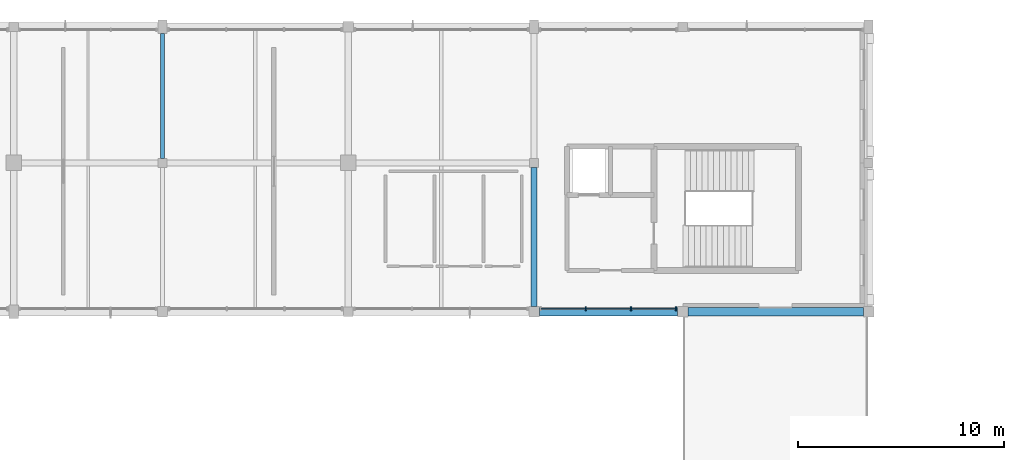
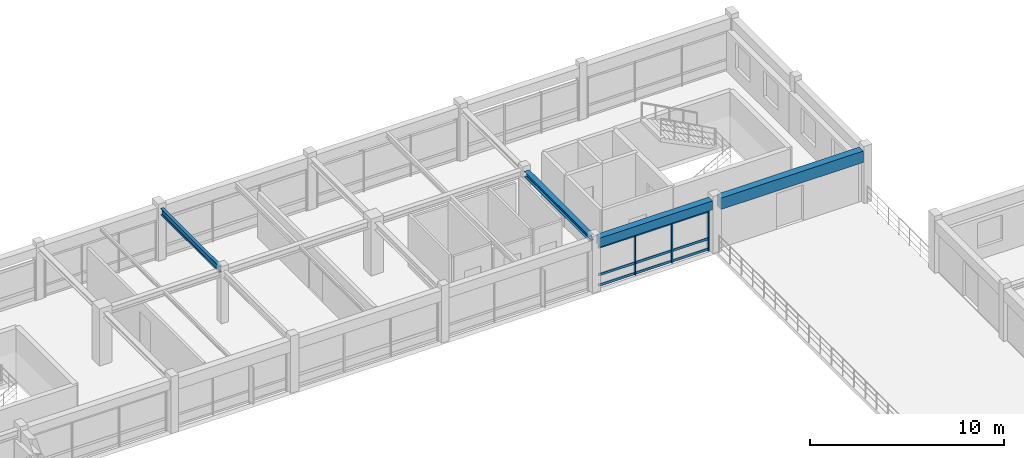
# One storey, part 26 of 74: 12 members, 4 beams, 1 element without a shape of its own.
"""IFC4 building model written with IfcOpenShell, lengths in metres."""

from ifc_helpers import new_model, si_unit, direction, frame, origin, origin_2d, place, context, subcontext, project, spatial, rectangle, i_section, extrude, material, material_profile, profile_set, type_object, element, aggregate, save


model = new_model("IFC4")

# Units and contexts
model_context = context("Model", 3, precision=1e-05, world=origin(), true_north=direction((0.0, 1.0)))
body_context = subcontext(model_context, "Body", "Model", "MODEL_VIEW")
ifc_project = project(units=[si_unit("LENGTHUNIT", "METRE"), si_unit("AREAUNIT", "SQUARE_METRE"), si_unit("VOLUMEUNIT", "CUBIC_METRE"), si_unit("PLANEANGLEUNIT", "RADIAN"), si_unit("MASSUNIT", "GRAM", prefix="KILO")], contexts=[model_context])

# Site, building, storey
site_placement = place(None, origin())
site = spatial("IfcSite", under=ifc_project, at=site_placement, CompositionType="ELEMENT")
building_placement = place(site_placement, origin())
building = spatial("IfcBuilding", under=site, at=building_placement, Name="Clarverna Civic Hall", CompositionType="ELEMENT")
storey_placement = place(building_placement, frame((0.0, 0.0, 13.199951171875)))
storey = spatial("IfcBuildingStorey", under=building, at=storey_placement, Name="L03", CompositionType="ELEMENT", Elevation=13.199951171875)

# Beams
ifc_material_1 = material(Name="Concrete C35/45", Category="concrete")
ifc_material_profile_1 = material_profile(ifc_material_1, rectangle(XDim=0.419921875, YDim=0.719970703125, at=origin_2d()), Name="RC 420x720")
ifc_profile_set_1 = profile_set([ifc_material_profile_1], Name="Concrete C35/45")
beam_type_1 = type_object("IfcBeamType", Name="B-SP1", PredefinedType="SPANDREL", material=ifc_profile_set_1)
beam_1_placement = place(storey_placement, frame((57.85009765625, 102.199951171875, 2.93994140625), z_axis=(1.0, 0.0, 0.0), x_axis=(0.0, 1.0, 0.0)))
element("IfcBeam", 1, at=beam_1_placement, inside=storey, type_object=beam_type_1, Name="B-SP1-113", PredefinedType="SPANDREL", context=body_context, shape_type="SweptSolid", body=[
    extrude(rectangle(XDim=0.419921875, YDim=0.719970703125, at=origin_2d()), origin(), (0.0, 0.0, 1.0), 8.5),
])
ifc_material_profile_2 = material_profile(ifc_material_1, rectangle(XDim=0.39990234375, YDim=0.56005859375, at=origin_2d()), Name="RC 400x560")
ifc_profile_set_2 = profile_set([ifc_material_profile_2], Name="Concrete C35/45")
beam_type_2 = type_object("IfcBeamType", Name="B-SP4", PredefinedType="SPANDREL", material=ifc_profile_set_2)
beam_2_placement = place(storey_placement, frame((50.64990234375, 102.199951171875, 3.02001953125), z_axis=(1.0, 0.0, 0.0), x_axis=(0.0, 1.0, 0.0)))
element("IfcBeam", 2, at=beam_2_placement, inside=storey, type_object=beam_type_2, Name="B-SP4-115", PredefinedType="SPANDREL", context=body_context, shape_type="SweptSolid", body=[
    extrude(rectangle(XDim=0.39990234375, YDim=0.56005859375, at=origin_2d()), origin(), (0.0, 0.0, 1.0), 6.7001953125),
])
ifc_material_2 = material(Name="Steel S355", Category="steel")
ifc_material_profile_3 = material_profile(ifc_material_2, i_section(OverallWidth=0.179931640625, OverallDepth=0.39990234375, WebThickness=0.008544921875, FlangeThickness=0.013427734375, FilletRadius=0.02099609375, at=origin_2d()), Name="IPE 400")
ifc_profile_set_3 = profile_set([ifc_material_profile_3], Name="Steel S355")
beam_type_3 = type_object("IfcBeamType", Name="B-ST14", PredefinedType="BEAM", material=ifc_profile_set_3)
beam_3_placement = place(storey_placement, frame((32.39990234375, 109.625, 3.10009765625), z_axis=(0.0, 1.0, 0.0), x_axis=(-1.0, 0.0, 0.0)))
element("IfcBeam", 3, at=beam_3_placement, inside=storey, type_object=beam_type_3, Name="B-ST14-019", PredefinedType="BEAM", context=body_context, shape_type="SweptSolid", body=[
    extrude(i_section(OverallWidth=0.179931640625, OverallDepth=0.39990234375, WebThickness=0.008544921875, FlangeThickness=0.013427734375, FilletRadius=0.02099609375, at=origin_2d()), origin(), (0.0, 0.0, 1.0), 6.050048828125),
])
ifc_material_profile_4 = material_profile(ifc_material_2, i_section(OverallWidth=0.300048828125, OverallDepth=0.35009765625, WebThickness=0.010009765625, FlangeThickness=0.017578125, FilletRadius=0.027099609375, at=origin_2d()), Name="HEA 360")
ifc_profile_set_4 = profile_set([ifc_material_profile_4], Name="Steel S355")
beam_type_4 = type_object("IfcBeamType", Name="B-ST7", PredefinedType="BEAM", material=ifc_profile_set_4)
beam_4_placement = place(storey_placement, frame((50.39990234375, 102.449951171875, 3.125), z_axis=(0.0, 1.0, 0.0), x_axis=(-1.0, 0.0, 0.0)))
element("IfcBeam", 4, at=beam_4_placement, inside=storey, type_object=beam_type_4, Name="B-ST7-016", PredefinedType="BEAM", context=body_context, shape_type="SweptSolid", body=[
    extrude(i_section(OverallWidth=0.300048828125, OverallDepth=0.35009765625, WebThickness=0.010009765625, FlangeThickness=0.017578125, FilletRadius=0.027099609375, at=origin_2d()), origin(), (0.0, 0.0, 1.0), 6.72509765625),
])

# Curtain wall, members
ifc_material_3 = material(Name="Anodised Bronze Architectural Aluminium", Category="aluminium")
curtain_wall_type = type_object("IfcCurtainWallType", Name="CW-05", PredefinedType="USERDEFINED", material=ifc_material_3)
curtain_wall_placement = place(storey_placement, origin())
curtain_wall = element("IfcCurtainWall", 5, at=curtain_wall_placement, inside=storey, type_object=curtain_wall_type, Name="CW-05-009", ObjectType="UNITISED CURTAIN WALL", PredefinedType="USERDEFINED")
ifc_material_profile_5 = material_profile(ifc_material_3, rectangle(XDim=0.06005859375, YDim=0.179931640625, at=origin_2d()), Name="BRONZE 60x180")
ifc_profile_set_5 = profile_set([ifc_material_profile_5], Name="Anodised Bronze Architectural Aluminium")
member_type_1 = type_object("IfcMemberType", Name="CWM-01", PredefinedType="MULLION", material=ifc_profile_set_5)
member_1_placement = place(storey_placement, frame((57.277099609375, 102.340087890625, 0.0), z_axis=(0.0, 0.0, 1.0), x_axis=(1.0, 0.0, 0.0)))
member_1 = element("IfcMember", 6, at=member_1_placement, type_object=member_type_1, Name="CWM-01-136", PredefinedType="MULLION", context=body_context, shape_type="SweptSolid", body=[
    extrude(rectangle(XDim=0.06005859375, YDim=0.179931640625, at=origin_2d()), origin(), (0.0, 0.0, 1.0), 2.580078125),
])
member_2_placement = place(storey_placement, frame((55.09228515625, 102.340087890625, 0.0), z_axis=(0.0, 0.0, 1.0), x_axis=(1.0, 0.0, 0.0)))
member_2 = element("IfcMember", 7, at=member_2_placement, type_object=member_type_1, Name="CWM-01-137", PredefinedType="MULLION", context=body_context, shape_type="SweptSolid", body=[
    extrude(rectangle(XDim=0.06005859375, YDim=0.179931640625, at=origin_2d()), origin(), (0.0, 0.0, 1.0), 2.580078125),
])
member_3_placement = place(storey_placement, frame((52.90771484375, 102.340087890625, 0.0), z_axis=(0.0, 0.0, 1.0), x_axis=(1.0, 0.0, 0.0)))
member_3 = element("IfcMember", 8, at=member_3_placement, type_object=member_type_1, Name="CWM-01-138", PredefinedType="MULLION", context=body_context, shape_type="SweptSolid", body=[
    extrude(rectangle(XDim=0.06005859375, YDim=0.179931640625, at=origin_2d()), origin(), (0.0, 0.0, 1.0), 2.580078125),
])
ifc_material_profile_6 = material_profile(ifc_material_3, rectangle(XDim=0.06005859375, YDim=0.14990234375, at=origin_2d()), Name="BRONZE 60x150")
ifc_profile_set_6 = profile_set([ifc_material_profile_6], Name="Anodised Bronze Architectural Aluminium")
member_type_2 = type_object("IfcMemberType", Name="CWT-01", PredefinedType="USERDEFINED", material=ifc_profile_set_6)
member_4_placement = place(storey_placement, frame((57.261962890625, 102.340087890625, 0.094970703125), z_axis=(-1.0, 0.0, 0.0), x_axis=(0.0, -1.0, 0.0)))
member_4 = element("IfcMember", 9, at=member_4_placement, type_object=member_type_2, Name="CWT-01-289", ObjectType="TRANSOM", PredefinedType="USERDEFINED", context=body_context, shape_type="SweptSolid", body=[
    extrude(rectangle(XDim=0.06005859375, YDim=0.14990234375, at=origin_2d()), origin(), (0.0, 0.0, 1.0), 2.154541015625),
])
member_5_placement = place(storey_placement, frame((57.261962890625, 102.340087890625, 0.75), z_axis=(-1.0, 0.0, 0.0), x_axis=(0.0, -1.0, 0.0)))
member_5 = element("IfcMember", 10, at=member_5_placement, type_object=member_type_2, Name="CWT-01-290", ObjectType="TRANSOM", PredefinedType="USERDEFINED", context=body_context, shape_type="SweptSolid", body=[
    extrude(rectangle(XDim=0.06005859375, YDim=0.14990234375, at=origin_2d()), origin(), (0.0, 0.0, 1.0), 2.154541015625),
])
member_6_placement = place(storey_placement, frame((57.261962890625, 102.340087890625, 2.485107421875), z_axis=(-1.0, 0.0, 0.0), x_axis=(0.0, -1.0, 0.0)))
member_6 = element("IfcMember", 11, at=member_6_placement, type_object=member_type_2, Name="CWT-01-291", ObjectType="TRANSOM", PredefinedType="USERDEFINED", context=body_context, shape_type="SweptSolid", body=[
    extrude(rectangle(XDim=0.06005859375, YDim=0.14990234375, at=origin_2d()), origin(), (0.0, 0.0, 1.0), 2.154541015625),
])
member_7_placement = place(storey_placement, frame((55.077392578125, 102.340087890625, 0.094970703125), z_axis=(-1.0, 0.0, 0.0), x_axis=(0.0, -1.0, 0.0)))
member_7 = element("IfcMember", 12, at=member_7_placement, type_object=member_type_2, Name="CWT-01-292", ObjectType="TRANSOM", PredefinedType="USERDEFINED", context=body_context, shape_type="SweptSolid", body=[
    extrude(rectangle(XDim=0.06005859375, YDim=0.14990234375, at=origin_2d()), origin(), (0.0, 0.0, 1.0), 2.15478515625),
])
member_8_placement = place(storey_placement, frame((55.077392578125, 102.340087890625, 0.75), z_axis=(-1.0, 0.0, 0.0), x_axis=(0.0, -1.0, 0.0)))
member_8 = element("IfcMember", 13, at=member_8_placement, type_object=member_type_2, Name="CWT-01-293", ObjectType="TRANSOM", PredefinedType="USERDEFINED", context=body_context, shape_type="SweptSolid", body=[
    extrude(rectangle(XDim=0.06005859375, YDim=0.14990234375, at=origin_2d()), origin(), (0.0, 0.0, 1.0), 2.15478515625),
])
member_9_placement = place(storey_placement, frame((55.077392578125, 102.340087890625, 2.485107421875), z_axis=(-1.0, 0.0, 0.0), x_axis=(0.0, -1.0, 0.0)))
member_9 = element("IfcMember", 14, at=member_9_placement, type_object=member_type_2, Name="CWT-01-294", ObjectType="TRANSOM", PredefinedType="USERDEFINED", context=body_context, shape_type="SweptSolid", body=[
    extrude(rectangle(XDim=0.06005859375, YDim=0.14990234375, at=origin_2d()), origin(), (0.0, 0.0, 1.0), 2.15478515625),
])
member_10_placement = place(storey_placement, frame((52.892578125, 102.340087890625, 0.094970703125), z_axis=(-1.0, 0.0, 0.0), x_axis=(0.0, -1.0, 0.0)))
member_10 = element("IfcMember", 15, at=member_10_placement, type_object=member_type_2, Name="CWT-01-295", ObjectType="TRANSOM", PredefinedType="USERDEFINED", context=body_context, shape_type="SweptSolid", body=[
    extrude(rectangle(XDim=0.06005859375, YDim=0.14990234375, at=origin_2d()), origin(), (0.0, 0.0, 1.0), 2.154541015625),
])
member_11_placement = place(storey_placement, frame((52.892578125, 102.340087890625, 0.75), z_axis=(-1.0, 0.0, 0.0), x_axis=(0.0, -1.0, 0.0)))
member_11 = element("IfcMember", 16, at=member_11_placement, type_object=member_type_2, Name="CWT-01-296", ObjectType="TRANSOM", PredefinedType="USERDEFINED", context=body_context, shape_type="SweptSolid", body=[
    extrude(rectangle(XDim=0.06005859375, YDim=0.14990234375, at=origin_2d()), origin(), (0.0, 0.0, 1.0), 2.154541015625),
])
member_12_placement = place(storey_placement, frame((52.892578125, 102.340087890625, 2.485107421875), z_axis=(-1.0, 0.0, 0.0), x_axis=(0.0, -1.0, 0.0)))
member_12 = element("IfcMember", 17, at=member_12_placement, type_object=member_type_2, Name="CWT-01-297", ObjectType="TRANSOM", PredefinedType="USERDEFINED", context=body_context, shape_type="SweptSolid", body=[
    extrude(rectangle(XDim=0.06005859375, YDim=0.14990234375, at=origin_2d()), origin(), (0.0, 0.0, 1.0), 2.154541015625),
])
aggregate(curtain_wall, [member_1, member_2, member_3, member_4, member_5, member_6, member_7, member_8, member_9, member_10, member_11, member_12])

save(model, "model.ifc")
